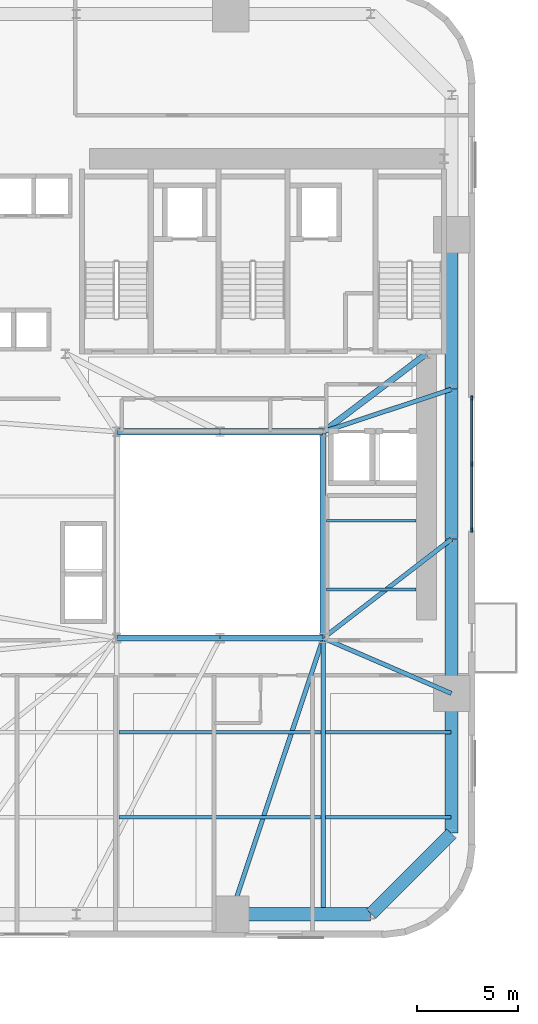
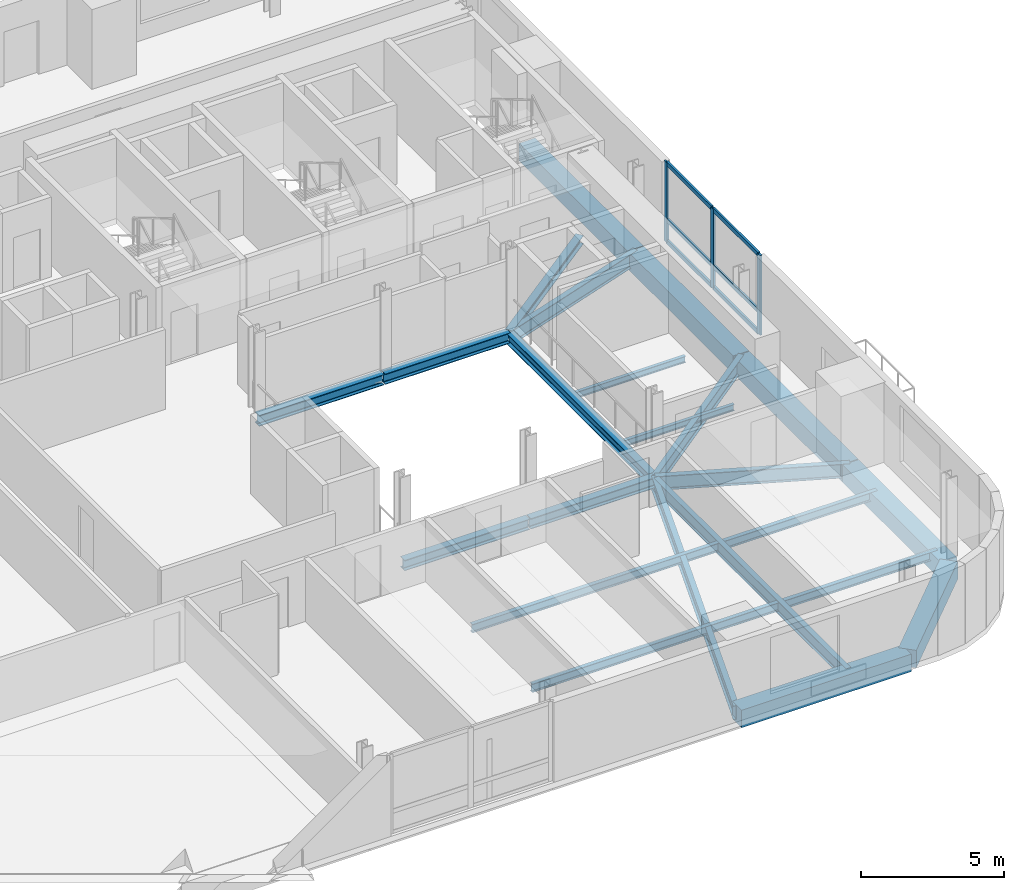
# One storey, part 3 of 13: 23 beams, 9 members, 1 element without a shape of its own.
"""IFC4 building model written with IfcOpenShell, lengths in metres."""

from ifc_helpers import new_model, si_unit, direction, frame, origin, origin_2d, place, context, subcontext, project, spatial, rectangle, i_section, extrude, source, transform, mapped, material, material_profile, profile_set, type_object, element, aggregate, save


model = new_model("IFC4")

# Units and contexts
model_context = context("Model", 3, precision=1e-05, world=origin(), true_north=direction((0.0, 1.0)))
body_context = subcontext(model_context, "Body", "Model", "MODEL_VIEW")
ifc_project = project(units=[si_unit("LENGTHUNIT", "METRE"), si_unit("AREAUNIT", "SQUARE_METRE"), si_unit("VOLUMEUNIT", "CUBIC_METRE"), si_unit("PLANEANGLEUNIT", "RADIAN"), si_unit("MASSUNIT", "GRAM", prefix="KILO")], contexts=[model_context])

# Site, building, storey
site_placement = place(None, origin())
site = spatial("IfcSite", under=ifc_project, at=site_placement, CompositionType="ELEMENT")
building_placement = place(site_placement, origin())
building = spatial("IfcBuilding", under=site, at=building_placement, Name="Vardaveli Station Tower", CompositionType="ELEMENT")
storey_placement = place(building_placement, frame((0.0, 0.0, 49.5)))
storey = spatial("IfcBuildingStorey", under=building, at=storey_placement, Name="L12", CompositionType="ELEMENT", Elevation=49.5)

# Beams
ifc_material_1 = material(Name="Structural steel S355J2", Category="steel")
ifc_material_profile_1 = material_profile(ifc_material_1, i_section(OverallWidth=0.300048828125, OverallDepth=0.449951171875, WebThickness=0.013916015625, FlangeThickness=0.02587890625, FilletRadius=0.027099609375, at=origin_2d()), Name="HEB 450")
ifc_profile_set_1 = profile_set([ifc_material_profile_1], Name="Structural steel S355J2")
beam_type_1 = type_object("IfcBeamType", Name="BM-HEB450", PredefinedType="BEAM", material=ifc_profile_set_1)
shared_shape_1 = source(origin(), body_context, "Body", "SweptSolid", [
    extrude(i_section(OverallWidth=0.300048828125, OverallDepth=0.449951171875, WebThickness=0.013916015625, FlangeThickness=0.02587890625, FilletRadius=0.027099609375, at=origin_2d()), origin(), (0.0, 0.0, 1.0), 5.06005859375),
])
for number, where, z_axis, x_axis, name in (
    (1, (31.219970703125, 16.60009765625, -0.465087890625), (1.0, 0.0, 0.0), (0.0, 1.0, 0.0), "ABM-L12-01"),
    (2, (36.280029296875, 26.800048828125, -0.465087890625), (-1.0, 0.0, 0.0), (0.0, -1.0, 0.0), "ABM-L12-05"),
):
    element("IfcBeam", number, at=place(storey_placement, frame(where, z_axis=z_axis, x_axis=x_axis)), inside=storey, type_object=beam_type_1, Name=name, PredefinedType="BEAM", context=body_context, shape_type="MappedRepresentation", body=[
        mapped(shared_shape_1, transform((0.0, 0.0, 0.0), scale=1.0)),
    ])
shared_shape_2 = source(origin(), body_context, "Body", "SweptSolid", [
    extrude(i_section(OverallWidth=0.300048828125, OverallDepth=0.449951171875, WebThickness=0.013916015625, FlangeThickness=0.02587890625, FilletRadius=0.027099609375, at=origin_2d()), origin(), (0.0, 0.0, 1.0), 5.059814453125),
])
for number, where, z_axis, x_axis, name in (
    (3, (36.320068359375, 16.60009765625, -0.465087890625), (1.0, 0.0, 0.0), (0.0, 1.0, 0.0), "ABM-L12-02"),
    (4, (41.3798828125, 26.800048828125, -0.465087890625), (-1.0, 0.0, 0.0), (0.0, -1.0, 0.0), "ABM-L12-04"),
):
    element("IfcBeam", number, at=place(storey_placement, frame(where, z_axis=z_axis, x_axis=x_axis)), inside=storey, type_object=beam_type_1, Name=name, PredefinedType="BEAM", context=body_context, shape_type="MappedRepresentation", body=[
        mapped(shared_shape_2, transform((0.0, 0.0, 0.0), scale=1.0)),
    ])
shared_shape_3 = source(origin(), body_context, "Body", "SweptSolid", [
    extrude(i_section(OverallWidth=0.300048828125, OverallDepth=0.449951171875, WebThickness=0.013916015625, FlangeThickness=0.02587890625, FilletRadius=0.027099609375, at=origin_2d()), origin(), (0.0, 0.0, 1.0), 10.159912109375),
])
beam_1_placement = place(storey_placement, frame((41.39990234375, 16.6201171875, -0.465087890625), z_axis=(0.0, 1.0, 0.0), x_axis=(-1.0, 0.0, 0.0)))
element("IfcBeam", 5, at=beam_1_placement, inside=storey, type_object=beam_type_1, Name="ABM-L12-03", PredefinedType="BEAM", context=body_context, shape_type="MappedRepresentation", body=[
    mapped(shared_shape_3, transform((0.0, 0.0, 0.0), scale=1.0)),
])
ifc_material_profile_2 = material_profile(ifc_material_1, i_section(OverallWidth=0.300048828125, OverallDepth=0.360107421875, WebThickness=0.012451171875, FlangeThickness=0.0224609375, FilletRadius=0.027099609375, at=origin_2d()), Name="HEB 360")
ifc_profile_set_2 = profile_set([ifc_material_profile_2], Name="Structural steel S355J2")
beam_type_2 = type_object("IfcBeamType", Name="BM-HEB360", PredefinedType="BEAM", material=ifc_profile_set_2)
shared_shape_4 = source(origin(), body_context, "Body", "SweptSolid", [
    extrude(i_section(OverallWidth=0.300048828125, OverallDepth=0.360107421875, WebThickness=0.012451171875, FlangeThickness=0.0224609375, FilletRadius=0.027099609375, at=origin_2d()), origin(), (0.0, 0.0, 1.0), 6.35009765625),
])
beam_2_placement = place(storey_placement, frame((41.416015625, 26.81201171875, -0.419921875), z_axis=(0.798118337722, 0.602500721154, 0.0), x_axis=(-0.602500721154, 0.798118337722, 0.0)))
element("IfcBeam", 6, at=beam_2_placement, inside=storey, type_object=beam_type_2, Name="CBM-L12-02", PredefinedType="BEAM", context=body_context, shape_type="MappedRepresentation", body=[
    mapped(shared_shape_4, transform((0.0, 0.0, 0.0), scale=1.0)),
])
ifc_material_2 = material(Name="Precast concrete C45/55", Category="concrete")
ifc_material_profile_3 = material_profile(ifc_material_2, rectangle(XDim=0.64990234375, YDim=0.75, at=origin_2d()), Name="LPB 650x750")
ifc_profile_set_3 = profile_set([ifc_material_profile_3], Name="Precast concrete C45/55")
beam_type_3 = type_object("IfcBeamType", Name="BM-LPB-750", PredefinedType="BEAM", material=ifc_profile_set_3)
shared_shape_5 = source(origin(), body_context, "Body", "SweptSolid", [
    extrude(rectangle(XDim=0.64990234375, YDim=0.75, at=origin_2d()), origin(), (0.0, 0.0, 1.0), 7.60009765625),
])
for number, where, z_axis, x_axis, name in (
    (7, (47.75, 13.8798828125, -0.614990234375), (0.0, 1.0, 0.0), (-1.0, 0.0, 0.0), "RBM-L12-07"),
    (8, (47.75, 28.919921875, -0.614990234375), (0.0, 1.0, 0.0), (-1.0, 0.0, 0.0), "RBM-L12-09"),
):
    element("IfcBeam", number, at=place(storey_placement, frame(where, z_axis=z_axis, x_axis=x_axis)), inside=storey, type_object=beam_type_3, Name=name, PredefinedType="BEAM", context=body_context, shape_type="MappedRepresentation", body=[
        mapped(shared_shape_5, transform((0.0, 0.0, 0.0), scale=1.0)),
    ])
shared_shape_6 = source(origin(), body_context, "Body", "SweptSolid", [
    extrude(rectangle(XDim=0.64990234375, YDim=0.75, at=origin_2d()), origin(), (0.0, 0.0, 1.0), 7.35986328125),
])
beam_3_placement = place(storey_placement, frame((47.75, 21.52001953125, -0.614990234375), z_axis=(0.0, 1.0, 0.0), x_axis=(-1.0, 0.0, 0.0)))
element("IfcBeam", 9, at=beam_3_placement, inside=storey, type_object=beam_type_3, Name="RBM-L12-08", PredefinedType="BEAM", context=body_context, shape_type="MappedRepresentation", body=[
    mapped(shared_shape_6, transform((0.0, 0.0, 0.0), scale=1.0)),
])
shared_shape_7 = source(origin(), body_context, "Body", "SweptSolid", [
    extrude(rectangle(XDim=0.64990234375, YDim=0.75, at=origin_2d()), origin(), (0.0, 0.0, 1.0), 6.869873046875),
])
beam_4_placement = place(storey_placement, frame((36.860107421875, 2.949951171875, -0.614990234375), z_axis=(1.0, 0.0, 0.0), x_axis=(0.0, 1.0, 0.0)))
element("IfcBeam", 10, at=beam_4_placement, inside=storey, type_object=beam_type_3, Name="RBM-L12-04", PredefinedType="BEAM", context=body_context, shape_type="MappedRepresentation", body=[
    mapped(shared_shape_7, transform((0.0, 0.0, 0.0), scale=1.0)),
])
shared_shape_8 = source(origin(), body_context, "Body", "SweptSolid", [
    extrude(rectangle(XDim=0.64990234375, YDim=0.75, at=origin_2d()), origin(), (0.0, 0.0, 1.0), 5.61669921875),
])
beam_5_placement = place(storey_placement, frame((43.76416015625, 2.964111328125, -0.614990234375), z_axis=(0.707106781187, 0.707106781187, 0.0), x_axis=(-0.707106781187, 0.707106781187, 0.0)))
element("IfcBeam", 11, at=beam_5_placement, inside=storey, type_object=beam_type_3, Name="RBM-L12-05", PredefinedType="BEAM", context=body_context, shape_type="MappedRepresentation", body=[
    mapped(shared_shape_8, transform((0.0, 0.0, 0.0), scale=1.0)),
])
shared_shape_9 = source(origin(), body_context, "Body", "SweptSolid", [
    extrude(rectangle(XDim=0.64990234375, YDim=0.75, at=origin_2d()), origin(), (0.0, 0.0, 1.0), 6.8701171875),
])
beam_6_placement = place(storey_placement, frame((47.75, 6.969970703125, -0.614990234375), z_axis=(0.0, 1.0, 0.0), x_axis=(-1.0, 0.0, 0.0)))
element("IfcBeam", 12, at=beam_6_placement, inside=storey, type_object=beam_type_3, Name="RBM-L12-06", PredefinedType="BEAM", context=body_context, shape_type="MappedRepresentation", body=[
    mapped(shared_shape_9, transform((0.0, 0.0, 0.0), scale=1.0)),
])
ifc_material_profile_4 = material_profile(ifc_material_1, i_section(OverallWidth=0.219970703125, OverallDepth=0.60009765625, WebThickness=0.011962890625, FlangeThickness=0.01904296875, FilletRadius=0.02392578125, at=origin_2d()), Name="IPE 600")
ifc_profile_set_4 = profile_set([ifc_material_profile_4], Name="Structural steel S355J2")
beam_type_4 = type_object("IfcBeamType", Name="BM-IPE600", PredefinedType="BEAM", material=ifc_profile_set_4)
shared_shape_10 = source(origin(), body_context, "Body", "SweptSolid", [
    extrude(i_section(OverallWidth=0.219970703125, OverallDepth=0.60009765625, WebThickness=0.011962890625, FlangeThickness=0.01904296875, FilletRadius=0.02392578125, at=origin_2d()), origin(), (0.0, 0.0, 1.0), 14.3515625),
])
beam_7_placement = place(storey_placement, frame((36.846435546875, 2.968994140625, -0.5400390625), z_axis=(0.316840115921, 0.948478961782, 0.0), x_axis=(-0.948478961782, 0.316840115921, 0.0)))
element("IfcBeam", 13, at=beam_7_placement, inside=storey, type_object=beam_type_4, Name="GBM-L12-04", PredefinedType="BEAM", context=body_context, shape_type="MappedRepresentation", body=[
    mapped(shared_shape_10, transform((0.0, 0.0, 0.0), scale=1.0)),
])
shared_shape_11 = source(origin(), body_context, "Body", "SweptSolid", [
    extrude(i_section(OverallWidth=0.219970703125, OverallDepth=0.60009765625, WebThickness=0.011962890625, FlangeThickness=0.01904296875, FilletRadius=0.02392578125, at=origin_2d()), origin(), (0.0, 0.0, 1.0), 6.8759765625),
])
beam_8_placement = place(storey_placement, frame((47.731689453125, 13.867919921875, -0.5400390625), z_axis=(-0.918170694621, 0.396185026899, 0.0), x_axis=(-0.396185026899, -0.918170694621, 0.0)))
element("IfcBeam", 14, at=beam_8_placement, inside=storey, type_object=beam_type_4, Name="GBM-L12-05", PredefinedType="BEAM", context=body_context, shape_type="MappedRepresentation", body=[
    mapped(shared_shape_11, transform((0.0, 0.0, 0.0), scale=1.0)),
])
shared_shape_12 = source(origin(), body_context, "Body", "SweptSolid", [
    extrude(i_section(OverallWidth=0.219970703125, OverallDepth=0.60009765625, WebThickness=0.011962890625, FlangeThickness=0.01904296875, FilletRadius=0.02392578125, at=origin_2d()), origin(), (0.0, 0.0, 1.0), 7.980712890625),
])
beam_9_placement = place(storey_placement, frame((47.734130859375, 21.48779296875, -0.5400390625), z_axis=(-0.791701934907, -0.610907559509, 0.0), x_axis=(0.610907559509, -0.791701934907, 0.0)))
element("IfcBeam", 15, at=beam_9_placement, inside=storey, type_object=beam_type_4, Name="GBM-L12-06", PredefinedType="BEAM", context=body_context, shape_type="MappedRepresentation", body=[
    mapped(shared_shape_12, transform((0.0, 0.0, 0.0), scale=1.0)),
])
shared_shape_13 = source(origin(), body_context, "Body", "SweptSolid", [
    extrude(i_section(OverallWidth=0.219970703125, OverallDepth=0.60009765625, WebThickness=0.011962890625, FlangeThickness=0.01904296875, FilletRadius=0.02392578125, at=origin_2d()), origin(), (0.0, 0.0, 1.0), 6.648193359375),
])
beam_10_placement = place(storey_placement, frame((47.73095703125, 28.893798828125, -0.5400390625), z_axis=(-0.949429779906, -0.313979446824, 0.0), x_axis=(0.313979446824, -0.949429779906, 0.0)))
element("IfcBeam", 16, at=beam_10_placement, inside=storey, type_object=beam_type_4, Name="GBM-L12-07", PredefinedType="BEAM", context=body_context, shape_type="MappedRepresentation", body=[
    mapped(shared_shape_13, transform((0.0, 0.0, 0.0), scale=1.0)),
])
ifc_material_profile_5 = material_profile(ifc_material_1, i_section(OverallWidth=0.2099609375, OverallDepth=0.550048828125, WebThickness=0.010986328125, FlangeThickness=0.01708984375, FilletRadius=0.02392578125, at=origin_2d()), Name="IPE 550")
ifc_profile_set_5 = profile_set([ifc_material_profile_5], Name="Structural steel S355J2")
beam_type_5 = type_object("IfcBeamType", Name="BM-IPE550", PredefinedType="BEAM", material=ifc_profile_set_5)
shared_shape_14 = source(origin(), body_context, "Body", "SweptSolid", [
    extrude(i_section(OverallWidth=0.2099609375, OverallDepth=0.550048828125, WebThickness=0.010986328125, FlangeThickness=0.01708984375, FilletRadius=0.02392578125, at=origin_2d()), origin(), (0.0, 0.0, 1.0), 13.469970703125),
])
beam_11_placement = place(storey_placement, frame((41.39990234375, 2.989990234375, -0.514892578125), z_axis=(0.0, 1.0, 0.0), x_axis=(-1.0, 0.0, 0.0)))
element("IfcBeam", 17, at=beam_11_placement, inside=storey, type_object=beam_type_5, Name="NSM-L12-S2", PredefinedType="BEAM", context=body_context, shape_type="MappedRepresentation", body=[
    mapped(shared_shape_14, transform((0.0, 0.0, 0.0), scale=1.0)),
])
ifc_material_profile_6 = material_profile(ifc_material_1, i_section(OverallWidth=0.169921875, OverallDepth=0.360107421875, WebThickness=0.008056640625, FlangeThickness=0.0126953125, FilletRadius=0.01806640625, at=origin_2d()), Name="IPE 360")
ifc_profile_set_6 = profile_set([ifc_material_profile_6], Name="Structural steel S355J2")
beam_type_6 = type_object("IfcBeamType", Name="BM-IPE360", PredefinedType="JOIST", material=ifc_profile_set_6)
shared_shape_15 = source(origin(), body_context, "Body", "SweptSolid", [
    extrude(i_section(OverallWidth=0.169921875, OverallDepth=0.360107421875, WebThickness=0.008056640625, FlangeThickness=0.0126953125, FilletRadius=0.01806640625, at=origin_2d()), origin(), (0.0, 0.0, 1.0), 9.97607421875),
])
for number, where, z_axis, x_axis, name in (
    (18, (31.31201171875, 7.75, -0.419921875), (1.0, 0.0, 0.0), (0.0, 1.0, 0.0), "SJ-L12-S02"),
    (19, (31.31201171875, 11.949951171875, -0.419921875), (1.0, 0.0, 0.0), (0.0, 1.0, 0.0), "SJ-L12-S05"),
):
    element("IfcBeam", number, at=place(storey_placement, frame(where, z_axis=z_axis, x_axis=x_axis)), inside=storey, type_object=beam_type_6, Name=name, PredefinedType="JOIST", context=body_context, shape_type="MappedRepresentation", body=[
        mapped(shared_shape_15, transform((0.0, 0.0, 0.0), scale=1.0)),
    ])
shared_shape_16 = source(origin(), body_context, "Body", "SweptSolid", [
    extrude(i_section(OverallWidth=0.169921875, OverallDepth=0.360107421875, WebThickness=0.008056640625, FlangeThickness=0.0126953125, FilletRadius=0.01806640625, at=origin_2d()), origin(), (0.0, 0.0, 1.0), 6.197998046875),
])
for number, where, z_axis, x_axis, name in (
    (20, (41.511962890625, 7.75, -0.419921875), (1.0, 0.0, 0.0), (0.0, 1.0, 0.0), "SJ-L12-S03"),
    (21, (41.511962890625, 11.949951171875, -0.419921875), (1.0, 0.0, 0.0), (0.0, 1.0, 0.0), "SJ-L12-S06"),
):
    element("IfcBeam", number, at=place(storey_placement, frame(where, z_axis=z_axis, x_axis=x_axis)), inside=storey, type_object=beam_type_6, Name=name, PredefinedType="JOIST", context=body_context, shape_type="MappedRepresentation", body=[
        mapped(shared_shape_16, transform((0.0, 0.0, 0.0), scale=1.0)),
    ])
ifc_material_profile_7 = material_profile(ifc_material_1, i_section(OverallWidth=0.135009765625, OverallDepth=0.27001953125, WebThickness=0.006591796875, FlangeThickness=0.01025390625, FilletRadius=0.014892578125, at=origin_2d()), Name="IPE 270")
ifc_profile_set_7 = profile_set([ifc_material_profile_7], Name="Structural steel S355J2")
beam_type_7 = type_object("IfcBeamType", Name="BM-IPE270", PredefinedType="BEAM", material=ifc_profile_set_7)
shared_shape_17 = source(origin(), body_context, "Body", "SweptSolid", [
    extrude(i_section(OverallWidth=0.135009765625, OverallDepth=0.27001953125, WebThickness=0.006591796875, FlangeThickness=0.01025390625, FilletRadius=0.014892578125, at=origin_2d()), origin(), (0.0, 0.0, 1.0), 4.43017578125),
])
for number, where, z_axis, x_axis, name in (
    (22, (41.56494140625, 19.0, -0.375), (1.0, 0.0, 0.0), (0.0, 1.0, 0.0), "TJ-L12-01"),
    (23, (41.56494140625, 22.39990234375, -0.375), (1.0, 0.0, 0.0), (0.0, 1.0, 0.0), "TJ-L12-02"),
):
    element("IfcBeam", number, at=place(storey_placement, frame(where, z_axis=z_axis, x_axis=x_axis)), inside=storey, type_object=beam_type_7, Name=name, PredefinedType="BEAM", context=body_context, shape_type="MappedRepresentation", body=[
        mapped(shared_shape_17, transform((0.0, 0.0, 0.0), scale=1.0)),
    ])

# Curtain wall, members
ifc_material_3 = material(Name="Travertine stone and solar-control glass", Category="masonry")
curtain_wall_type = type_object("IfcCurtainWallType", Name="CW-SYS-2", PredefinedType="NOTDEFINED", material=ifc_material_3)
curtain_wall_placement = place(storey_placement, origin())
curtain_wall = element("IfcCurtainWall", 24, at=curtain_wall_placement, inside=storey, type_object=curtain_wall_type, Name="CW-L12-E", PredefinedType="NOTDEFINED")
ifc_material_4 = material(Name="Anodised aluminium alloy 6063-T6", Category="aluminium")
ifc_material_profile_8 = material_profile(ifc_material_4, rectangle(XDim=0.0849609375, YDim=0.219970703125, at=origin_2d()), Name="CWM 85x220")
ifc_profile_set_8 = profile_set([ifc_material_profile_8], Name="Anodised aluminium alloy 6063-T6")
member_type_1 = type_object("IfcMemberType", Name="CW-SYS-2-MULL", PredefinedType="MULLION", material=ifc_profile_set_8)
shared_shape_18 = source(origin(), body_context, "Body", "SweptSolid", [
    extrude(rectangle(XDim=0.0849609375, YDim=0.219970703125, at=origin_2d()), origin(), (0.0, 0.0, 1.0), 3.409912109375),
])
member_1_placement = place(storey_placement, frame((48.739990234375, 21.9423828125, 0.0), z_axis=(0.0, 0.0, 1.0), x_axis=(-1.0, 0.0, 0.0)))
member_1 = element("IfcMember", 25, at=member_1_placement, type_object=member_type_1, Name="CW-2 mullion 1", PredefinedType="MULLION", context=body_context, shape_type="MappedRepresentation", body=[
    mapped(shared_shape_18, transform((0.0, 0.0, 0.0), scale=1.0)),
])
member_2_placement = place(storey_placement, frame((48.739990234375, 25.199951171875, 0.0), z_axis=(0.0, 0.0, 1.0), x_axis=(-1.0, 0.0, 0.0)))
member_2 = element("IfcMember", 26, at=member_2_placement, type_object=member_type_1, Name="CW-2 mullion 2", PredefinedType="MULLION", context=body_context, shape_type="MappedRepresentation", body=[
    mapped(shared_shape_18, transform((0.0, 0.0, 0.0), scale=1.0)),
])
member_3_placement = place(storey_placement, frame((48.739990234375, 28.45751953125, 0.0), z_axis=(0.0, 0.0, 1.0), x_axis=(-1.0, 0.0, 0.0)))
member_3 = element("IfcMember", 27, at=member_3_placement, type_object=member_type_1, Name="CW-2 mullion 3", PredefinedType="MULLION", context=body_context, shape_type="MappedRepresentation", body=[
    mapped(shared_shape_18, transform((0.0, 0.0, 0.0), scale=1.0)),
])
ifc_material_profile_9 = material_profile(ifc_material_4, rectangle(XDim=0.0849609375, YDim=0.179931640625, at=origin_2d()), Name="CWT 85x180")
ifc_profile_set_9 = profile_set([ifc_material_profile_9], Name="Anodised aluminium alloy 6063-T6")
member_type_2 = type_object("IfcMemberType", Name="CW-SYS-2-TRAN", PredefinedType="NOTDEFINED", material=ifc_profile_set_9)
shared_shape_19 = source(origin(), body_context, "Body", "SweptSolid", [
    extrude(rectangle(XDim=0.0849609375, YDim=0.179931640625, at=origin_2d()), origin(), (0.0, 0.0, 1.0), 3.172607421875),
])
member_4_placement = place(storey_placement, frame((48.739990234375, 25.242431640625, 0.04248046875), z_axis=(0.0, 1.0, 0.0), x_axis=(-1.0, 0.0, 0.0)))
member_4 = element("IfcMember", 28, at=member_4_placement, type_object=member_type_2, Name="CW-2 transom 2.1", ObjectType="TRANSOM", PredefinedType="USERDEFINED", context=body_context, shape_type="MappedRepresentation", body=[
    mapped(shared_shape_19, transform((0.0, 0.0, 0.0), scale=1.0)),
])
member_5_placement = place(storey_placement, frame((48.739990234375, 25.242431640625, 0.949951171875), z_axis=(0.0, 1.0, 0.0), x_axis=(-1.0, 0.0, 0.0)))
member_5 = element("IfcMember", 29, at=member_5_placement, type_object=member_type_2, Name="CW-2 transom 2.2", ObjectType="TRANSOM", PredefinedType="USERDEFINED", context=body_context, shape_type="MappedRepresentation", body=[
    mapped(shared_shape_19, transform((0.0, 0.0, 0.0), scale=1.0)),
])
member_6_placement = place(storey_placement, frame((48.739990234375, 25.242431640625, 3.367431640625), z_axis=(0.0, 1.0, 0.0), x_axis=(-1.0, 0.0, 0.0)))
member_6 = element("IfcMember", 30, at=member_6_placement, type_object=member_type_2, Name="CW-2 transom 2.3", ObjectType="TRANSOM", PredefinedType="USERDEFINED", context=body_context, shape_type="MappedRepresentation", body=[
    mapped(shared_shape_19, transform((0.0, 0.0, 0.0), scale=1.0)),
])
shared_shape_20 = source(origin(), body_context, "Body", "SweptSolid", [
    extrude(rectangle(XDim=0.0849609375, YDim=0.179931640625, at=origin_2d()), origin(), (0.0, 0.0, 1.0), 3.17236328125),
])
member_7_placement = place(storey_placement, frame((48.739990234375, 21.985107421875, 0.04248046875), z_axis=(0.0, 1.0, 0.0), x_axis=(-1.0, 0.0, 0.0)))
member_7 = element("IfcMember", 31, at=member_7_placement, type_object=member_type_2, Name="CW-2 transom 1.1", ObjectType="TRANSOM", PredefinedType="USERDEFINED", context=body_context, shape_type="MappedRepresentation", body=[
    mapped(shared_shape_20, transform((0.0, 0.0, 0.0), scale=1.0)),
])
member_8_placement = place(storey_placement, frame((48.739990234375, 21.985107421875, 0.949951171875), z_axis=(0.0, 1.0, 0.0), x_axis=(-1.0, 0.0, 0.0)))
member_8 = element("IfcMember", 32, at=member_8_placement, type_object=member_type_2, Name="CW-2 transom 1.2", ObjectType="TRANSOM", PredefinedType="USERDEFINED", context=body_context, shape_type="MappedRepresentation", body=[
    mapped(shared_shape_20, transform((0.0, 0.0, 0.0), scale=1.0)),
])
member_9_placement = place(storey_placement, frame((48.739990234375, 21.985107421875, 3.367431640625), z_axis=(0.0, 1.0, 0.0), x_axis=(-1.0, 0.0, 0.0)))
member_9 = element("IfcMember", 33, at=member_9_placement, type_object=member_type_2, Name="CW-2 transom 1.3", ObjectType="TRANSOM", PredefinedType="USERDEFINED", context=body_context, shape_type="MappedRepresentation", body=[
    mapped(shared_shape_20, transform((0.0, 0.0, 0.0), scale=1.0)),
])
aggregate(curtain_wall, [member_1, member_2, member_3, member_7, member_8, member_9, member_4, member_5, member_6])

save(model, "model.ifc")
